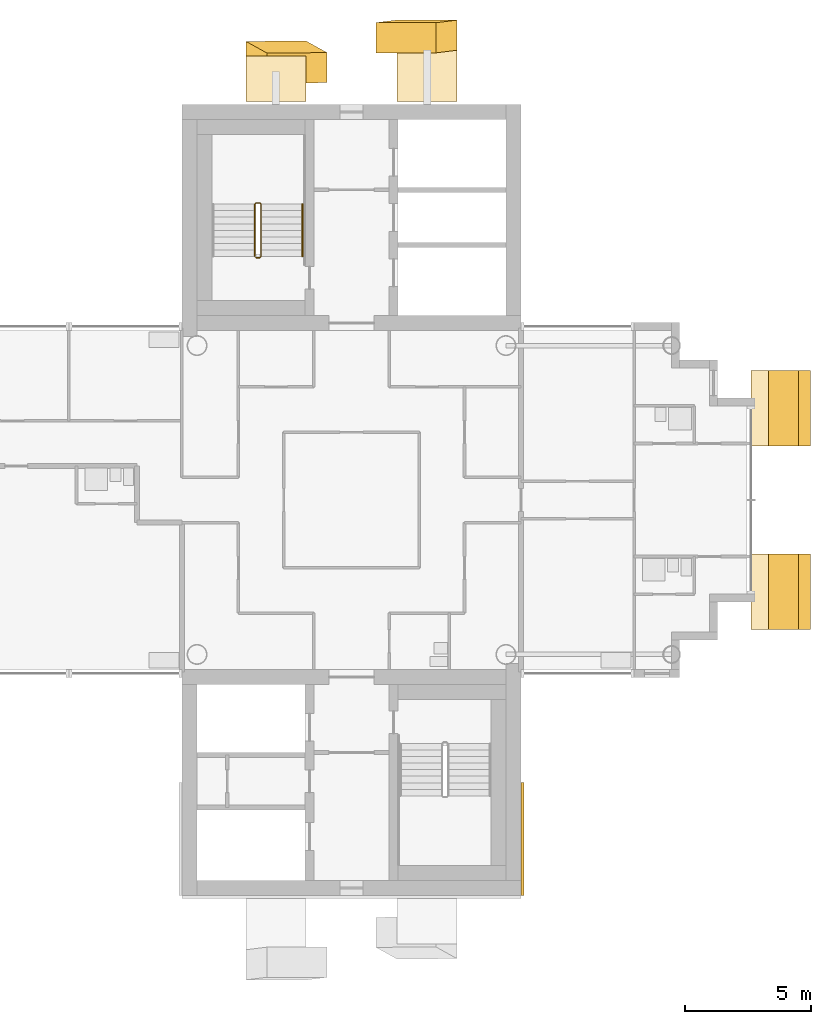
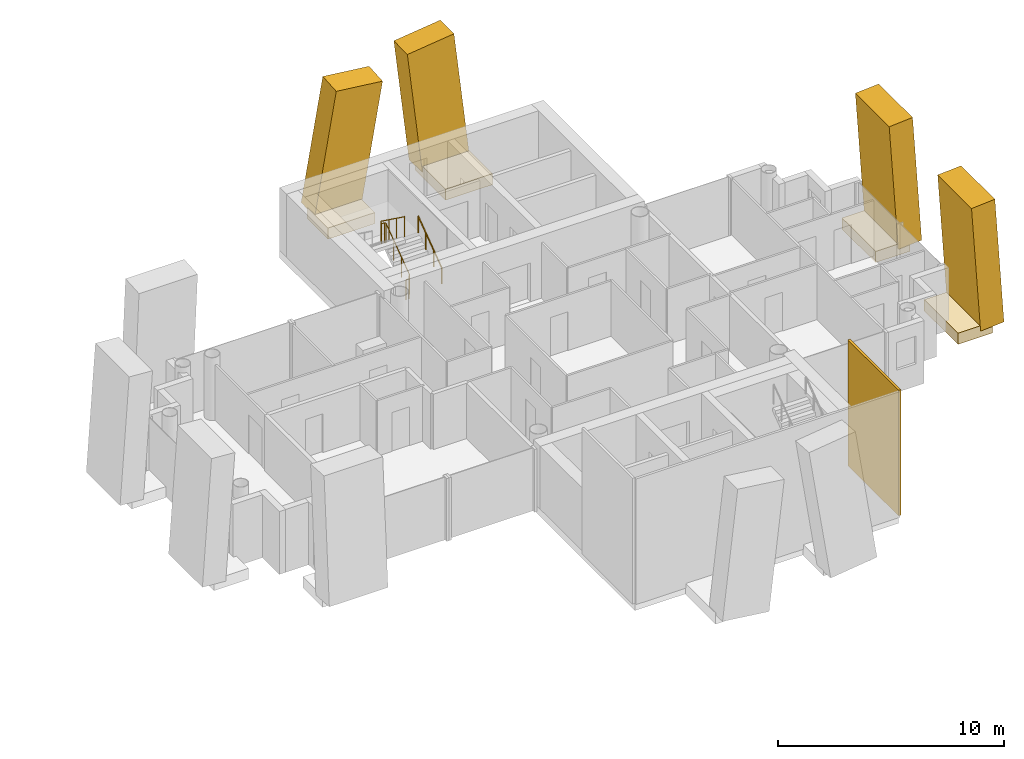
# One storey, part 18 of 19: 9 coverings, 2 railings.
"""IFC4 building model written with IfcOpenShell, lengths in metres."""

from ifc_helpers import new_model, si_unit, direction, frame, origin, origin_2d, place, context, subcontext, project, spatial, rectangle, circle, extrude, material, layer, layer_set, material_profile, profile_set, type_object, element, save


model = new_model("IFC4")

# Units and contexts
model_context = context("Model", 3, precision=1e-05, world=origin(), true_north=direction((0.0, 1.0)))
body_context = subcontext(model_context, "Body", "Model", "MODEL_VIEW")
ifc_project = project(units=[si_unit("LENGTHUNIT", "METRE"), si_unit("AREAUNIT", "SQUARE_METRE"), si_unit("VOLUMEUNIT", "CUBIC_METRE"), si_unit("PLANEANGLEUNIT", "RADIAN"), si_unit("MASSUNIT", "GRAM", prefix="KILO")], contexts=[model_context])

# Site, building, storey
site_placement = place(None, origin())
site = spatial("IfcSite", under=ifc_project, at=site_placement, CompositionType="ELEMENT")
building_placement = place(site_placement, origin())
building = spatial("IfcBuilding", under=site, at=building_placement, Name="Ipe Terrace Towers", CompositionType="ELEMENT")
storey_placement = place(building_placement, frame((0.0, 0.0, 189.199951171875)))
storey = spatial("IfcBuildingStorey", under=building, at=storey_placement, Name="L52", CompositionType="ELEMENT", Elevation=189.199951171875)

# Coverings
ifc_material_1 = material(Name="Concrete C50/60 precast, buff finish", Category="concrete")
ifc_layer = layer(ifc_material_1, 0.1201171875)
ifc_layer_set = layer_set([ifc_layer], Name="STONE CORE CLADDING 120")
covering_type_1 = type_object("IfcCoveringType", Name="STONE CORE CLADDING 120", PredefinedType="CLADDING", material=ifc_layer_set)
covering_1_placement = place(storey_placement, frame((42.81005859375, -13.5, 0.0), z_axis=(0.0, 0.0, 1.0), x_axis=(0.0, 1.0, 0.0)))
element("IfcCovering", 1, at=covering_1_placement, inside=storey, type_object=covering_type_1, Name="stone core cladding", PredefinedType="CLADDING", context=body_context, shape_type="SweptSolid", body=[
    extrude(rectangle(XDim=4.5, YDim=0.1201171875, at=origin_2d()), origin(), (0.0, 0.0, 1.0), 6.800048828125),
])
ifc_material_2 = material(Name="Concrete C50/60 precast, buff finish", Category="concrete")
ifc_material_profile_1 = material_profile(ifc_material_2, rectangle(XDim=2.39990234375, YDim=1.199951171875, at=origin_2d()), Name="STONE FIN 2400 x 1200")
ifc_profile_set_1 = profile_set([ifc_material_profile_1], Name="Concrete C50/60 precast, buff finish")
covering_type_2 = type_object("IfcCoveringType", Name="STONE FIN 2400 x 1200", PredefinedType="USERDEFINED", material=ifc_profile_set_1)
covering_2_placement = place(storey_placement, frame((39.008056640625, 18.510986328125, 0.0), z_axis=(-0.122314189404, -0.015320449008, 0.992373177244), x_axis=(-0.992491430225, 0.001888085119, -0.122299615961)))
element("IfcCovering", 2, at=covering_2_placement, inside=storey, type_object=covering_type_2, Name="stone fin", ObjectType="FIN", PredefinedType="USERDEFINED", context=body_context, shape_type="SweptSolid", body=[
    extrude(rectangle(XDim=2.39990234375, YDim=1.199951171875, at=origin_2d()), origin(), (0.0, 0.0, 1.0), 6.852294921875),
])
covering_3_placement = place(storey_placement, frame((32.991943359375, 17.672119140625, 0.0), z_axis=(0.122046504541, -0.067866815371, 0.99020136644), x_axis=(-0.992524382939, -0.008345293818, 0.121760853076)))
element("IfcCovering", 3, at=covering_3_placement, inside=storey, type_object=covering_type_2, Name="stone fin", ObjectType="FIN", PredefinedType="USERDEFINED", context=body_context, shape_type="SweptSolid", body=[
    extrude(rectangle(XDim=2.39990234375, YDim=1.199951171875, at=origin_2d()), origin(), (0.0, 0.0, 1.0), 6.867431640625),
])
ifc_material_3 = material(Name="Concrete C50/60 precast, buff finish", Category="concrete")
ifc_material_profile_2 = material_profile(ifc_material_3, rectangle(XDim=3.0, YDim=1.199951171875, at=origin_2d()), Name="STONE FIN CORNER 3000 x 1200")
ifc_profile_set_2 = profile_set([ifc_material_profile_2], Name="Concrete C50/60 precast, buff finish")
covering_type_3 = type_object("IfcCoveringType", Name="STONE FIN CORNER 3000 x 1200", PredefinedType="USERDEFINED", material=ifc_profile_set_2)
for number, where, z_axis, x_axis, name in (
    (4, (53.672119140625, -3.64990234375, 0.0), (-0.068377982987, 0.0, 0.99765948672), (0.0, 1.0, 0.0), "stone fin"),
    (5, (53.672119140625, 3.64990234375, 0.0), (-0.068377982987, 0.0, 0.99765948672), (0.0, 1.0, 0.0), "stone fin"),
):
    element("IfcCovering", number, at=place(storey_placement, frame(where, z_axis=z_axis, x_axis=x_axis)), inside=storey, type_object=covering_type_3, Name=name, ObjectType="FIN", PredefinedType="USERDEFINED", context=body_context, shape_type="SweptSolid", body=[
        extrude(rectangle(XDim=3.0, YDim=1.199951171875, at=origin_2d()), origin(), (0.0, 0.0, 1.0), 6.81591796875),
    ])
ifc_material_4 = material(Name="Concrete C50/60 precast, buff finish", Category="concrete")
covering_type_4 = type_object("IfcCoveringType", Name="STONE FIN SHELF 2400 x 600", PredefinedType="CLADDING", material=ifc_material_4)
covering_4_placement = place(storey_placement, frame((39.008056640625, 17.18603515625, -0.35009765625), z_axis=(0.0, 0.0, 1.0), x_axis=(-1.0, 0.0, 0.0)))
element("IfcCovering", 6, at=covering_4_placement, inside=storey, type_object=covering_type_4, Name="stone fin shelf", PredefinedType="CLADDING", context=body_context, shape_type="SweptSolid", body=[
    extrude(rectangle(XDim=2.39990234375, YDim=2.65087890625, at=origin_2d()), origin(), (0.0, 0.0, 1.0), 0.60009765625),
])
covering_5_placement = place(storey_placement, frame((32.991943359375, 16.76611328125, -0.35009765625), z_axis=(0.0, 0.0, 1.0), x_axis=(-1.0, 0.0, 0.0)))
element("IfcCovering", 7, at=covering_5_placement, inside=storey, type_object=covering_type_4, Name="stone fin shelf", PredefinedType="CLADDING", context=body_context, shape_type="SweptSolid", body=[
    extrude(rectangle(XDim=2.39990234375, YDim=1.81201171875, at=origin_2d()), origin(), (0.0, 0.0, 1.0), 0.60009765625),
])
ifc_material_5 = material(Name="Concrete C50/60 precast, buff finish", Category="concrete")
covering_type_5 = type_object("IfcCoveringType", Name="STONE FIN SHELF 3000 x 600", PredefinedType="CLADDING", material=ifc_material_5)
for number, where, z_axis, x_axis, name in (
    (8, (52.7939453125, -3.64990234375, -0.35009765625), (0.0, 0.0, 1.0), (0.0, 1.0, 0.0), "stone fin shelf"),
    (9, (52.7939453125, 3.64990234375, -0.35009765625), (0.0, 0.0, 1.0), (0.0, 1.0, 0.0), "stone fin shelf"),
):
    element("IfcCovering", number, at=place(storey_placement, frame(where, z_axis=z_axis, x_axis=x_axis)), inside=storey, type_object=covering_type_5, Name=name, PredefinedType="CLADDING", context=body_context, shape_type="SweptSolid", body=[
        extrude(rectangle(XDim=3.0, YDim=1.756103515625, at=origin_2d()), origin(), (0.0, 0.0, 1.0), 0.60009765625),
    ])

# Railings
ifc_material_6 = material(Name="Steel S355", Category="steel")
railing_type_1 = type_object("IfcRailingType", Name="Stair guard 1100", PredefinedType="GUARDRAIL", material=ifc_material_6)
railing_1_placement = place(storey_placement, frame((32.199951171875, 9.64990234375, 0.0)))
element("IfcRailing", 10, at=railing_1_placement, inside=storey, type_object=railing_type_1, Name="L52 T2-ST1 stair guard 1", PredefinedType="GUARDRAIL", context=body_context, shape_type="SweptSolid", body=[
    extrude(circle(Radius=0.02392578125, at=origin_2d()), frame((0.0, 0.0, 1.076171875), z_axis=(1.0, 0.0, 0.0), x_axis=(0.0, 1.0, 0.0)), (0.0, 0.0, 1.0), 0.150146484375),
    extrude(circle(Radius=0.02392578125, at=origin_2d()), frame((0.150146484375, 0.0, 1.076171875), z_axis=(0.246893586699, 0.248103849378, 0.936743314239), x_axis=(-0.708833529934, 0.705375805398, 0.0)), (0.0, 0.0, 1.0), 0.20166015625),
    extrude(circle(Radius=0.02392578125, at=origin_2d()), frame((0.199951171875, 0.050048828125, 1.26513671875), z_axis=(0.0, 0.809068575486, 0.587714250432), x_axis=(-1.0, 0.0, 0.0)), (0.0, 0.0, 1.0), 2.571044921875),
    extrude(circle(Radius=0.02392578125, at=origin_2d()), frame((0.199951171875, 2.130126953125, 2.77587890625), z_axis=(-0.705375805398, 0.708833529934, 0.0), x_axis=(-0.708833529934, -0.705375805398, 0.0)), (0.0, 0.0, 1.0), 0.070556640625),
    extrude(circle(Radius=0.02392578125, at=origin_2d()), frame((0.150146484375, 2.18017578125, 2.77587890625), z_axis=(-1.0, 0.0, 0.0), x_axis=(0.0, -1.0, 0.0)), (0.0, 0.0, 1.0), 0.150146484375),
    extrude(circle(Radius=0.02392578125, at=origin_2d()), frame((0.0, 2.18017578125, 2.77587890625), z_axis=(-0.248029566107, -0.248029566107, 0.936462849596), x_axis=(0.707106781187, -0.707106781187, 0.0)), (0.0, 0.0, 1.0), 0.201904296875),
    extrude(circle(Radius=0.02392578125, at=origin_2d()), frame((-0.050048828125, 2.130126953125, 2.96484375), z_axis=(0.0, -0.809023421508, 0.587776406001), x_axis=(1.0, 0.0, 0.0)), (0.0, 0.0, 1.0), 2.571044921875),
    extrude(circle(Radius=0.02099609375, at=origin_2d()), origin(), (0.0, 0.0, 1.0), 1.052001953125),
    extrude(circle(Radius=0.02099609375, at=origin_2d()), frame((0.150146484375, 0.0, 0.0)), (0.0, 0.0, 1.0), 1.052001953125),
    extrude(circle(Radius=0.02099609375, at=origin_2d()), frame((0.199951171875, 0.050048828125, 0.18896484375)), (0.0, 0.0, 1.0), 1.052001953125),
    extrude(circle(Radius=0.02099609375, at=origin_2d()), frame((0.199951171875, 0.743408203125, 0.692626953125)), (0.0, 0.0, 1.0), 1.052001953125),
    extrude(circle(Radius=0.02099609375, at=origin_2d()), frame((0.199951171875, 1.436767578125, 1.1962890625)), (0.0, 0.0, 1.0), 1.052001953125),
    extrude(circle(Radius=0.02099609375, at=origin_2d()), frame((0.199951171875, 2.130126953125, 1.699951171875)), (0.0, 0.0, 1.0), 1.052001953125),
    extrude(circle(Radius=0.02099609375, at=origin_2d()), frame((0.150146484375, 2.18017578125, 1.699951171875)), (0.0, 0.0, 1.0), 1.052001953125),
    extrude(circle(Radius=0.02099609375, at=origin_2d()), frame((0.0, 2.18017578125, 1.699951171875)), (0.0, 0.0, 1.0), 1.052001953125),
    extrude(circle(Radius=0.02099609375, at=origin_2d()), frame((-0.050048828125, 2.130126953125, 1.888916015625)), (0.0, 0.0, 1.0), 1.052001953125),
    extrude(circle(Radius=0.02099609375, at=origin_2d()), frame((-0.050048828125, 1.436767578125, 2.392578125)), (0.0, 0.0, 1.0), 1.052001953125),
    extrude(circle(Radius=0.02099609375, at=origin_2d()), frame((-0.050048828125, 0.743408203125, 2.896484375)), (0.0, 0.0, 1.0), 1.052001953125),
    extrude(circle(Radius=0.02099609375, at=origin_2d()), frame((-0.050048828125, 0.050048828125, 3.400146484375)), (0.0, 0.0, 1.0), 1.052001953125),
])
ifc_material_7 = material(Name="Stainless steel grade 304", Category="steel")
railing_type_2 = type_object("IfcRailingType", Name="Stair handrail 900", PredefinedType="HANDRAIL", material=ifc_material_7)
railing_2_placement = place(storey_placement, frame((34.050048828125, 9.699951171875, 0.18896484375)))
element("IfcRailing", 11, at=railing_2_placement, inside=storey, type_object=railing_type_2, Name="L52 T2-ST1 stair handrail 1", PredefinedType="HANDRAIL", context=body_context, shape_type="SweptSolid", body=[
    extrude(circle(Radius=0.02392578125, at=origin_2d()), frame((0.0, 0.0, 0.8759765625), z_axis=(0.0, 0.809068575486, 0.587714250432), x_axis=(-1.0, 0.0, 0.0)), (0.0, 0.0, 1.0), 2.571044921875),
    extrude(circle(Radius=0.02099609375, at=origin_2d()), origin(), (0.0, 0.0, 1.0), 0.851806640625),
    extrude(circle(Radius=0.02099609375, at=origin_2d()), frame((0.0, 0.693359375, 0.503662109375)), (0.0, 0.0, 1.0), 0.851806640625),
    extrude(circle(Radius=0.02099609375, at=origin_2d()), frame((0.0, 1.38671875, 1.00732421875)), (0.0, 0.0, 1.0), 0.851806640625),
    extrude(circle(Radius=0.02099609375, at=origin_2d()), frame((0.0, 2.080078125, 1.510986328125)), (0.0, 0.0, 1.0), 0.851806640625),
])

save(model, "model.ifc")
